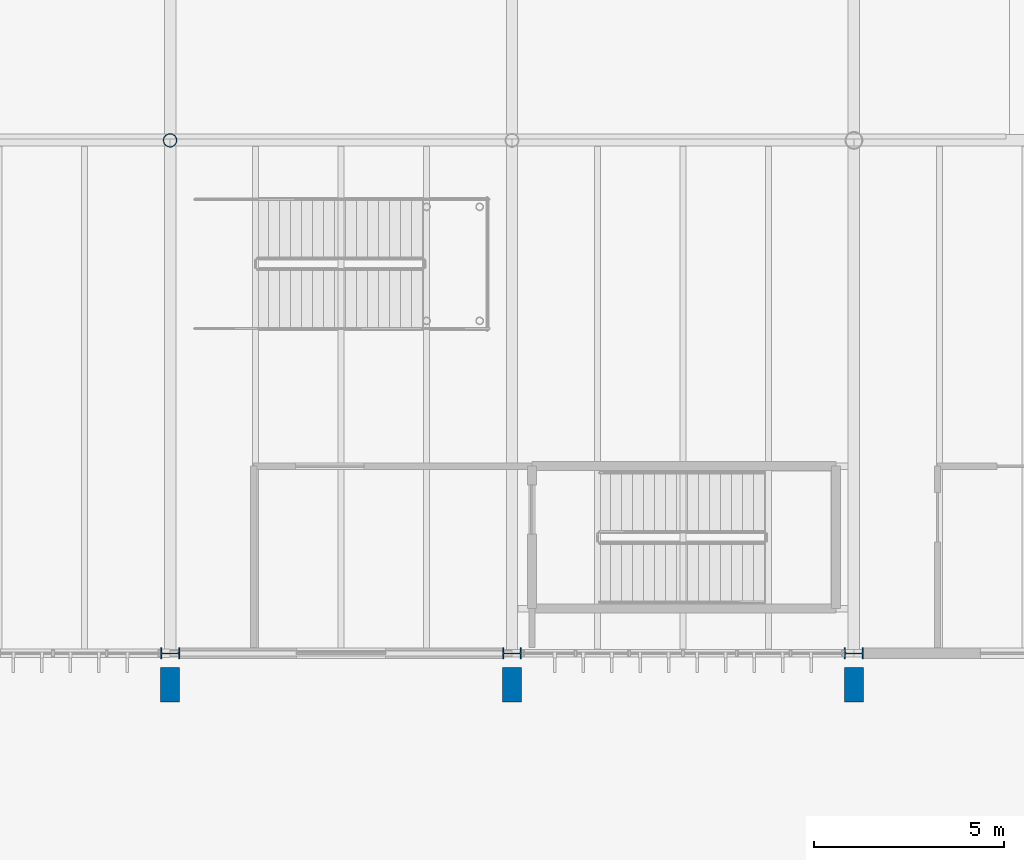
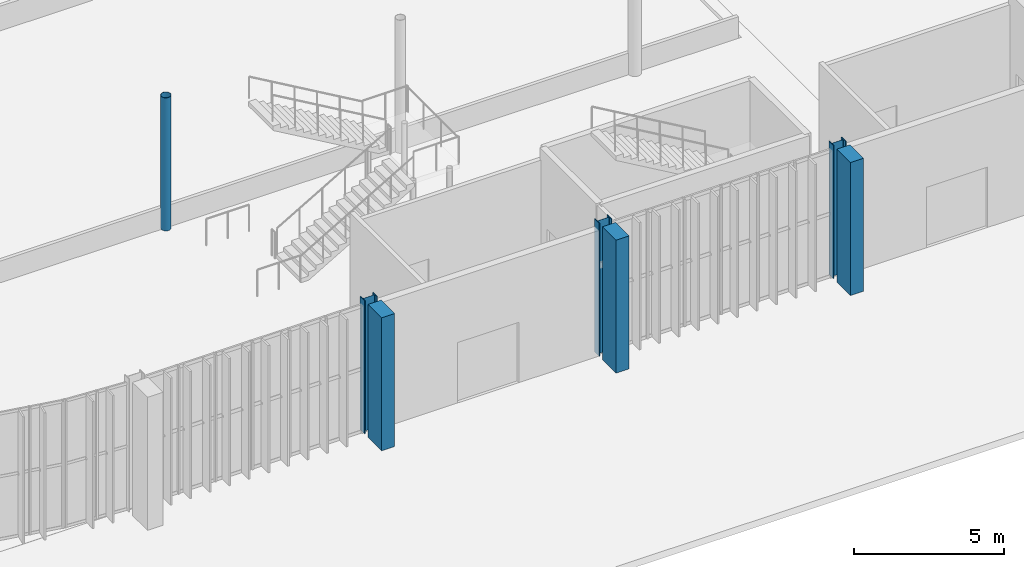
# One storey, part 3 of 158: 7 columns.
"""IFC4 building model written with IfcOpenShell, lengths in metres."""

from ifc_helpers import new_model, si_unit, derived_unit, direction, frame, origin, origin_2d, place, context, subcontext, project, spatial, rectangle, hollow_circle, i_section, extrude, material, material_profile, profile_set, type_object, element, save


model = new_model("IFC4")

# Units and contexts
model_context = context("Model", 3, precision=1e-05, world=origin(), true_north=direction((0.0, 1.0)))
body_context = subcontext(model_context, "Body", "Model", "MODEL_VIEW")
ifc_project = project(units=[si_unit("LENGTHUNIT", "METRE"), si_unit("AREAUNIT", "SQUARE_METRE"), si_unit("VOLUMEUNIT", "CUBIC_METRE"), si_unit("PLANEANGLEUNIT", "RADIAN"), si_unit("MASSUNIT", "GRAM", prefix="KILO"), si_unit("THERMODYNAMICTEMPERATUREUNIT", "KELVIN"), si_unit("TIMEUNIT", "SECOND"), derived_unit("THERMALTRANSMITTANCEUNIT", [(si_unit("MASSUNIT", "GRAM", prefix="KILO"), 1), (si_unit("THERMODYNAMICTEMPERATUREUNIT", "KELVIN"), -1), (si_unit("TIMEUNIT", "SECOND"), -3)])], contexts=[model_context])

# Site, building, storey
site_placement = place(None, origin())
site = spatial("IfcSite", under=ifc_project, at=site_placement, CompositionType="ELEMENT")
building_placement = place(site_placement, origin())
building = spatial("IfcBuilding", under=site, at=building_placement, Name="Cambertide Market Hall", CompositionType="ELEMENT")
storey_placement = place(building_placement, origin())
storey = spatial("IfcBuildingStorey", under=building, at=storey_placement, Name="L01", CompositionType="ELEMENT", Elevation=0.0)

# Columns
ifc_material_1 = material(Name="Concrete B35", Category="concrete")
ifc_material_profile_1 = material_profile(ifc_material_1, rectangle(XDim=0.5, YDim=0.89990234375, at=origin_2d()), Name="RC 500x900")
ifc_profile_set_1 = profile_set([ifc_material_profile_1], Name="Concrete B35")
column_type_1 = type_object("IfcColumnType", Name="Exterior Concrete Buttress Pilaster RC 500x900", PredefinedType="PILASTER", material=ifc_profile_set_1)
for number, where, z_axis, x_axis, name in (
    (1, (51.0, 51.169921875, 0.0), (0.0, 0.0, 1.0), (1.0, 0.0, 0.0), "Level 1 Pilaster PIL-V1-S2-L01"),
    (2, (60.0, 51.169921875, 0.0), (0.0, 0.0, 1.0), (1.0, 0.0, 0.0), "Level 1 Pilaster PIL-V1-S3-L01"),
    (3, (69.0, 51.169921875, 0.0), (0.0, 0.0, 1.0), (1.0, 0.0, 0.0), "Level 1 Pilaster PIL-V1-S4-L01"),
):
    element("IfcColumn", number, at=place(storey_placement, frame(where, z_axis=z_axis, x_axis=x_axis)), inside=storey, type_object=column_type_1, Name=name, PredefinedType="PILASTER", context=body_context, shape_type="SweptSolid", body=[
        extrude(rectangle(XDim=0.5, YDim=0.89990234375, at=origin_2d()), origin(), (0.0, 0.0, 1.0), 5.39990234375),
    ])
ifc_material_2 = material(Name="Steel S355", Category="steel")
ifc_material_profile_2 = material_profile(ifc_material_2, i_section(OverallWidth=0.300048828125, OverallDepth=0.5, WebThickness=0.014404296875, FlangeThickness=0.028076171875, FilletRadius=0.027099609375, at=origin_2d()), Name="HEB 500")
ifc_profile_set_2 = profile_set([ifc_material_profile_2], Name="Steel S355")
column_type_2 = type_object("IfcColumnType", Name="Exterior Steel Column HEB 500", PredefinedType="COLUMN", material=ifc_profile_set_2)
for number, where, z_axis, x_axis, name in (
    (4, (51.0, 52.0, 0.0), (0.0, 0.0, 1.0), (0.0, 1.0, 0.0), "Level 1 Column COL-V1-S2-L01"),
    (5, (60.0, 52.0, 0.0), (0.0, 0.0, 1.0), (0.0, 1.0, 0.0), "Level 1 Column COL-V1-S3-L01"),
    (6, (69.0, 52.0, 0.0), (0.0, 0.0, 1.0), (0.0, 1.0, 0.0), "Level 1 Column COL-V1-S4-L01"),
):
    element("IfcColumn", number, at=place(storey_placement, frame(where, z_axis=z_axis, x_axis=x_axis)), inside=storey, type_object=column_type_2, Name=name, PredefinedType="COLUMN", context=body_context, shape_type="SweptSolid", body=[
        extrude(i_section(OverallWidth=0.300048828125, OverallDepth=0.5, WebThickness=0.014404296875, FlangeThickness=0.028076171875, FilletRadius=0.027099609375, at=origin_2d()), origin(), (0.0, 0.0, 1.0), 5.39990234375),
    ])
ifc_material_3 = material(Name="Steel S355", Category="steel")
ifc_material_profile_3 = material_profile(ifc_material_3, hollow_circle(Radius=0.177734375, WallThickness=0.012451171875, at=origin_2d()), Name="CHS 355.6x12.5")
ifc_profile_set_3 = profile_set([ifc_material_profile_3], Name="Steel S355")
column_type_3 = type_object("IfcColumnType", Name="Steel Column CHS 355.6x12.5", PredefinedType="COLUMN", material=ifc_profile_set_3)
column_placement = place(storey_placement, frame((51.0, 65.5, 0.0), z_axis=(0.0, 0.0, 1.0), x_axis=(1.0, 0.0, 0.0)))
element("IfcColumn", 7, at=column_placement, inside=storey, type_object=column_type_3, Name="Level 1 Column COL-V1-MS2-L01", PredefinedType="COLUMN", context=body_context, shape_type="SweptSolid", body=[
    extrude(hollow_circle(Radius=0.177734375, WallThickness=0.012451171875, at=origin_2d()), origin(), (0.0, 0.0, 1.0), 5.39990234375),
])

save(model, "model.ifc")
